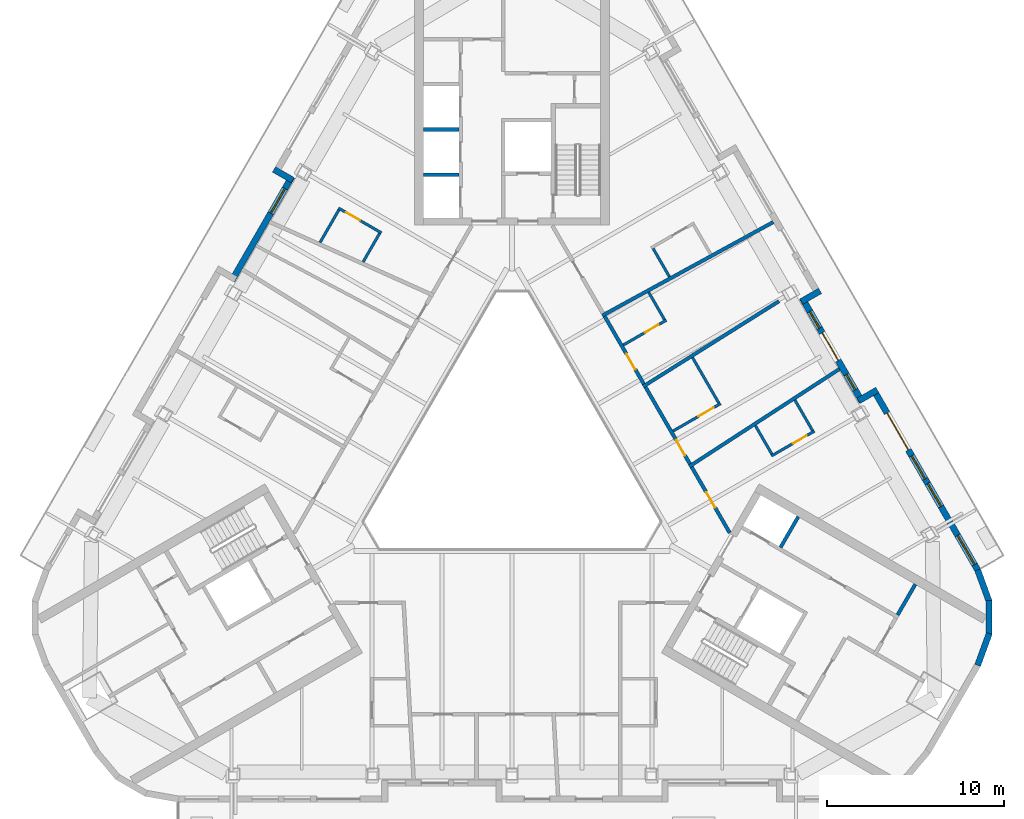
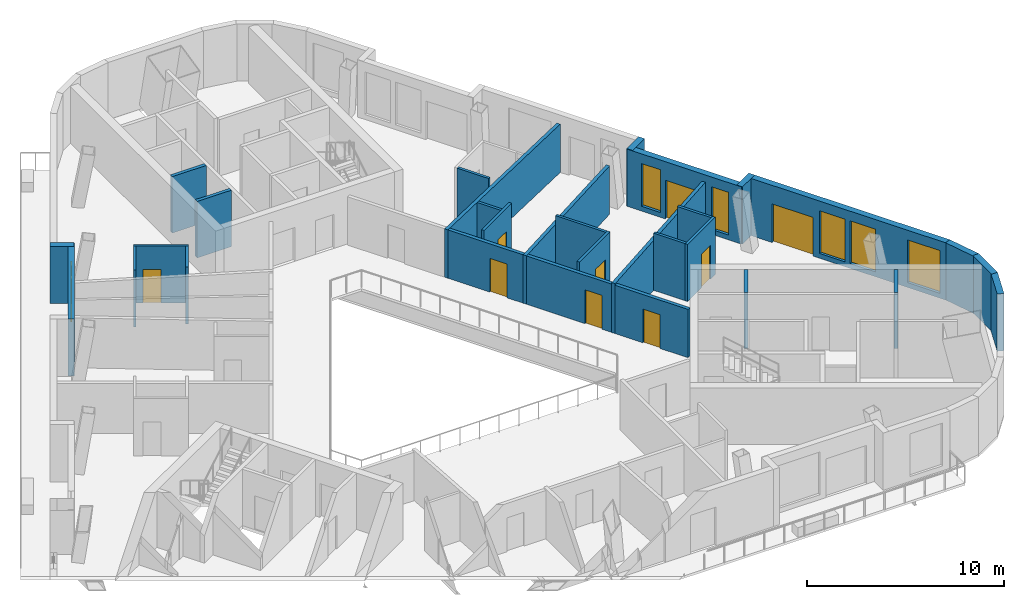
# One storey, part 6 of 14: 30 walls, 9 doors, 6 windows, 15 openings.
"""IFC4 building model written with IfcOpenShell, lengths in metres."""

from ifc_helpers import new_model, si_unit, direction, frame, frame_2d, origin, place, context, subcontext, project, spatial, rectangle, extrude, material, layer, layer_set, type_object, element, fill, save


model = new_model("IFC4")

# Units and contexts
model_context = context("Model", 3, precision=1e-05, world=origin(), true_north=direction((0.0, 1.0)))
body_context = subcontext(model_context, "Body", "Model", "MODEL_VIEW")
ifc_project = project(units=[si_unit("LENGTHUNIT", "METRE"), si_unit("AREAUNIT", "SQUARE_METRE"), si_unit("VOLUMEUNIT", "CUBIC_METRE"), si_unit("PLANEANGLEUNIT", "RADIAN"), si_unit("MASSUNIT", "GRAM", prefix="KILO")], contexts=[model_context])

# Site, building, storey
site_placement = place(None, origin())
site = spatial("IfcSite", under=ifc_project, at=site_placement, CompositionType="ELEMENT")
building_placement = place(site_placement, origin())
building = spatial("IfcBuilding", under=site, at=building_placement, Name="Apuvela Tower Hotel", CompositionType="ELEMENT")
storey_placement = place(building_placement, frame((0.0, 0.0, 254.10009765625)))
storey = spatial("IfcBuildingStorey", under=building, at=storey_placement, Name="L62", CompositionType="ELEMENT", Elevation=254.10009765625)

# Walls
ifc_material_1 = material(Name="Concrete C50/60", Category="concrete")
ifc_layer_1 = layer(ifc_material_1, 0.199951171875)
ifc_layer_set_1 = layer_set([ifc_layer_1], Name="COR-WALL-SHAFT-200")
wall_type_1 = type_object("IfcWallType", Name="COR-WALL-SHAFT-200", PredefinedType="SHEAR", material=ifc_layer_set_1)
for number, where, z_axis, x_axis, name in (
    (1, (-3.0, 15.739990234375, 0.0), (0.0, 0.0, 1.0), (-1.0, 0.0, 0.0), "Shaft wall N"),
    (2, (-3.0, 18.280029296875, 0.0), (0.0, 0.0, 1.0), (-1.0, 0.0, 0.0), "Shaft wall N"),
    (3, (15.131103515625, -5.27197265625, 0.0), (0.0, 0.0, 1.0), (0.499972520799, 0.866041268327, 0.0), "Shaft wall SE"),
    (4, (21.73046875, -9.081787109375, 0.0), (0.0, 0.0, 1.0), (0.50002537861, 0.866010750942, 0.0), "Shaft wall SE"),
):
    element("IfcWall", number, at=place(storey_placement, frame(where, z_axis=z_axis, x_axis=x_axis)), inside=storey, type_object=wall_type_1, Name=name, PredefinedType="SHEAR", context=body_context, shape_type="SweptSolid", body=[
        extrude(rectangle(XDim=2.0, YDim=0.199951171875, at=frame_2d((1.0, 0.0))), origin(), (0.0, 0.0, 1.0), 3.5),
    ])
ifc_material_2 = material(Name="Concrete C40/50, dark pigmented precast panel", Category="concrete")
ifc_layer_2 = layer(ifc_material_2, 0.35009765625)
ifc_layer_set_2 = layer_set([ifc_layer_2], Name="ENV-WALL-350")
wall_type_2 = type_object("IfcWallType", Name="ENV-WALL-350", PredefinedType="SOLIDWALL", material=ifc_layer_set_2)
wall_1_placement = place(storey_placement, frame((-13.41259765625, 16.02880859375, 0.0), z_axis=(0.0, 0.0, 1.0), x_axis=(0.866005645448, -0.500034220881, 0.0)))
element("IfcWall", 5, at=wall_1_placement, inside=storey, type_object=wall_type_2, Name="External wall L62-02", PredefinedType="SOLIDWALL", context=body_context, shape_type="SweptSolid", body=[
    extrude(rectangle(XDim=1.22021484375, YDim=0.35009765625, at=frame_2d((0.610107421875, 0.0))), origin(), (0.0, 0.0, 1.0), 3.5498046875),
])

# Wall, opening, window
wall_2_placement = place(storey_placement, frame((-12.408935546875, 15.616943359375, 0.0), z_axis=(0.0, 0.0, 1.0), x_axis=(-0.500003597184, -0.866023326939, 0.0)))
wall_2 = element("IfcWall", 6, at=wall_2_placement, inside=storey, type_object=wall_type_2, Name="External wall L62-03", PredefinedType="SOLIDWALL", context=body_context, shape_type="SweptSolid", body=[
    extrude(rectangle(XDim=6.740234375, YDim=0.35009765625, at=frame_2d((3.3701171875, 0.0))), origin(), (0.0, 0.0, 1.0), 3.5498046875),
])
opening_1_placement = place(wall_2_placement, frame((0.77001953125, 0.0, 0.300048828125)))
opening_1 = element("IfcOpeningElement", 7, at=opening_1_placement, cuts=wall_2, Name="Opening WN16", PredefinedType="OPENING", context=body_context, shape_type="SweptSolid", body=[
    extrude(rectangle(XDim=1.60009765625, YDim=2.64990234375, at=frame_2d((0.800048828125, 1.324951171875))), frame((0.0, 0.18505859375, 0.0), z_axis=(0.0, -1.0, 0.0), x_axis=(1.0, 0.0, 0.0)), (0.0, 0.0, 1.0), 0.3701171875),
])
ifc_material_3 = material(Name="Glass, dark tinted laminated insulated glazing unit", Category="glass")
window_type_1 = type_object("IfcWindowType", Name="ENV-WIN-1600x2650", PartitioningType="SINGLE_PANEL", PredefinedType="WINDOW", material=ifc_material_3)
window_1_placement = place(opening_1_placement, origin())
window_1 = element("IfcWindow", 8, at=window_1_placement, inside=storey, type_object=window_type_1, Name="Window WN16", OverallHeight=2.64990234375, OverallWidth=1.60009765625, PartitioningType="SINGLE_PANEL", PredefinedType="WINDOW", context=body_context, shape_type="SweptSolid", body=[
    extrude(rectangle(XDim=1.60009765625, YDim=2.64990234375, at=frame_2d((0.800048828125, 1.324951171875))), frame((0.0, 0.030029296875, 0.0), z_axis=(0.0, -1.0, 0.0), x_axis=(1.0, 0.0, 0.0)), (0.0, 0.0, 1.0), 0.06005859375),
])
fill(opening_1, window_1)

# Walls
for number, where, z_axis, x_axis, name in (
    (9, (26.24365234375, -11.920166015625, 0.0), (0.0, 0.0, 1.0), (0.342030395486, 0.939688889242, 0.0), "External wall L62-30"),
    (10, (26.88623046875, -10.18505859375, 0.0), (0.0, 0.0, 1.0), (0.0, 1.0, 0.0), "External wall L62-31"),
    (11, (26.89697265625, -8.334716796875, 0.0), (0.0, 0.0, 1.0), (-0.342030395486, 0.939688889242, 0.0), "External wall L62-32"),
):
    element("IfcWall", number, at=place(storey_placement, frame(where, z_axis=z_axis, x_axis=x_axis)), inside=storey, type_object=wall_type_2, Name=name, PredefinedType="SOLIDWALL", context=body_context, shape_type="SweptSolid", body=[
        extrude(rectangle(XDim=1.91015625, YDim=0.35009765625, at=frame_2d((0.955078125, 0.0))), origin(), (0.0, 0.0, 1.0), 3.5498046875),
    ])

# Wall, openings, door, windows
wall_3_placement = place(storey_placement, frame((26.256591796875, -6.5673828125, 0.0), z_axis=(0.0, 0.0, 1.0), x_axis=(-0.500023526245, 0.866011820475, 0.0)))
wall_3 = element("IfcWall", 12, at=wall_3_placement, inside=storey, type_object=wall_type_2, Name="External wall L62-33", PredefinedType="SOLIDWALL", context=body_context, shape_type="SweptSolid", body=[
    extrude(rectangle(XDim=11.81591796875, YDim=0.35009765625, at=frame_2d((5.907958984375, 0.0))), origin(), (0.0, 0.0, 1.0), 3.5498046875),
])
opening_2_placement = place(wall_3_placement, frame((0.380126953125, 0.0, 0.300048828125)))
opening_2 = element("IfcOpeningElement", 13, at=opening_2_placement, cuts=wall_3, Name="Opening WN19", PredefinedType="OPENING", context=body_context, shape_type="SweptSolid", body=[
    extrude(rectangle(XDim=1.89990234375, YDim=2.64990234375, at=frame_2d((0.949951171875, 1.324951171875))), frame((0.0, 0.18505859375, 0.0), z_axis=(0.0, -1.0, 0.0), x_axis=(1.0, 0.0, 0.0)), (0.0, 0.0, 1.0), 0.3701171875),
])
opening_3_placement = place(wall_3_placement, frame((7.836181640625, 0.0, 0.0)))
opening_3 = element("IfcOpeningElement", 14, at=opening_3_placement, cuts=wall_3, Name="Opening BD24", PredefinedType="OPENING", context=body_context, shape_type="SweptSolid", body=[
    extrude(rectangle(XDim=2.39990234375, YDim=2.39990234375, at=frame_2d((1.199951171875, 1.199951171875))), frame((0.0, 0.18505859375, 0.0), z_axis=(0.0, -1.0, 0.0), x_axis=(1.0, 0.0, 0.0)), (0.0, 0.0, 1.0), 0.3701171875),
])
opening_4_placement = place(wall_3_placement, frame((4.1533203125, 0.0, 0.300048828125)))
opening_4 = element("IfcOpeningElement", 15, at=opening_4_placement, cuts=wall_3, Name="Opening WN15", PredefinedType="OPENING", context=body_context, shape_type="SweptSolid", body=[
    extrude(rectangle(XDim=1.5, YDim=2.64990234375, at=frame_2d((0.75, 1.324951171875))), frame((0.0, 0.18505859375, 0.0), z_axis=(0.0, -1.0, 0.0), x_axis=(1.0, 0.0, 0.0)), (0.0, 0.0, 1.0), 0.3701171875),
])
opening_5_placement = place(wall_3_placement, frame((5.953125, 0.0, 0.300048828125)))
opening_5 = element("IfcOpeningElement", 16, at=opening_5_placement, cuts=wall_3, Name="Opening WN15", PredefinedType="OPENING", context=body_context, shape_type="SweptSolid", body=[
    extrude(rectangle(XDim=1.5, YDim=2.64990234375, at=frame_2d((0.75, 1.324951171875))), frame((0.0, 0.18505859375, 0.0), z_axis=(0.0, -1.0, 0.0), x_axis=(1.0, 0.0, 0.0)), (0.0, 0.0, 1.0), 0.3701171875),
])
ifc_material_4 = material(Name="Aluminium 6063-T6, dark bronze anodised frame with dark tinted laminated glass", Category="aluminium")
door_type_1 = type_object("IfcDoorType", Name="ENV-DOOR-BALCONY-2400x2400", OperationType="SLIDING_TO_LEFT", PredefinedType="DOOR", material=ifc_material_4)
door_1_placement = place(opening_3_placement, frame((2.39990234375, 0.0, 0.0), z_axis=(0.0, 0.0, 1.0), x_axis=(-1.0, 0.0, 0.0)))
door_1 = element("IfcDoor", 17, at=door_1_placement, inside=storey, type_object=door_type_1, Name="Balcony door BD24", OperationType="SLIDING_TO_LEFT", OverallHeight=2.39990234375, OverallWidth=2.39990234375, PredefinedType="DOOR", context=body_context, shape_type="SweptSolid", body=[
    extrude(rectangle(XDim=2.39990234375, YDim=2.39990234375, at=frame_2d((1.199951171875, 1.199951171875))), frame((0.0, 0.02490234375, 0.0), z_axis=(0.0, -1.0, 0.0), x_axis=(1.0, 0.0, 0.0)), (0.0, 0.0, 1.0), 0.050048828125),
])
fill(opening_3, door_1)
window_type_2 = type_object("IfcWindowType", Name="ENV-WIN-1500x2650", PartitioningType="SINGLE_PANEL", PredefinedType="WINDOW", material=ifc_material_3)
window_2_placement = place(opening_4_placement, origin())
window_2 = element("IfcWindow", 18, at=window_2_placement, inside=storey, type_object=window_type_2, Name="Window WN15", OverallHeight=2.64990234375, OverallWidth=1.5, PartitioningType="SINGLE_PANEL", PredefinedType="WINDOW", context=body_context, shape_type="SweptSolid", body=[
    extrude(rectangle(XDim=1.5, YDim=2.64990234375, at=frame_2d((0.75, 1.324951171875))), frame((0.0, 0.030029296875, 0.0), z_axis=(0.0, -1.0, 0.0), x_axis=(1.0, 0.0, 0.0)), (0.0, 0.0, 1.0), 0.06005859375),
])
fill(opening_4, window_2)
window_3_placement = place(opening_5_placement, origin())
window_3 = element("IfcWindow", 19, at=window_3_placement, inside=storey, type_object=window_type_2, Name="Window WN15", OverallHeight=2.64990234375, OverallWidth=1.5, PartitioningType="SINGLE_PANEL", PredefinedType="WINDOW", context=body_context, shape_type="SweptSolid", body=[
    extrude(rectangle(XDim=1.5, YDim=2.64990234375, at=frame_2d((0.75, 1.324951171875))), frame((0.0, 0.030029296875, 0.0), z_axis=(0.0, -1.0, 0.0), x_axis=(1.0, 0.0, 0.0)), (0.0, 0.0, 1.0), 0.06005859375),
])
fill(opening_5, window_3)
window_type_3 = type_object("IfcWindowType", Name="ENV-WIN-1900x2650", PartitioningType="SINGLE_PANEL", PredefinedType="WINDOW", material=ifc_material_3)
window_4_placement = place(opening_2_placement, origin())
window_4 = element("IfcWindow", 20, at=window_4_placement, inside=storey, type_object=window_type_3, Name="Window WN19", OverallHeight=2.64990234375, OverallWidth=1.89990234375, PartitioningType="SINGLE_PANEL", PredefinedType="WINDOW", context=body_context, shape_type="SweptSolid", body=[
    extrude(rectangle(XDim=1.89990234375, YDim=2.64990234375, at=frame_2d((0.949951171875, 1.324951171875))), frame((0.0, 0.030029296875, 0.0), z_axis=(0.0, -1.0, 0.0), x_axis=(1.0, 0.0, 0.0)), (0.0, 0.0, 1.0), 0.06005859375),
])
fill(opening_2, window_4)

# Wall
wall_4_placement = place(storey_placement, frame((20.587646484375, 3.601318359375, 0.0), z_axis=(0.0, 0.0, 1.0), x_axis=(-0.866005645448, -0.500034220881, 0.0)))
element("IfcWall", 21, at=wall_4_placement, inside=storey, type_object=wall_type_2, Name="External wall L62-34", PredefinedType="SOLIDWALL", context=body_context, shape_type="SweptSolid", body=[
    extrude(rectangle(XDim=1.22021484375, YDim=0.35009765625, at=frame_2d((0.610107421875, 0.0))), origin(), (0.0, 0.0, 1.0), 3.5498046875),
])

# Wall, openings, door, windows
wall_5_placement = place(storey_placement, frame((19.72900390625, 2.93798828125, 0.0), z_axis=(0.0, 0.0, 1.0), x_axis=(-0.499976430342, 0.866039011305, 0.0)))
wall_5 = element("IfcWall", 22, at=wall_5_placement, inside=storey, type_object=wall_type_2, Name="External wall L62-35", PredefinedType="SOLIDWALL", context=body_context, shape_type="SweptSolid", body=[
    extrude(rectangle(XDim=6.739990234375, YDim=0.35009765625, at=frame_2d((3.3701171875, 0.0))), origin(), (0.0, 0.0, 1.0), 3.5498046875),
])
opening_6_placement = place(wall_5_placement, frame((0.77001953125, 0.0, 0.300048828125)))
opening_6 = element("IfcOpeningElement", 23, at=opening_6_placement, cuts=wall_5, Name="Opening WN10", PredefinedType="OPENING", context=body_context, shape_type="SweptSolid", body=[
    extrude(rectangle(XDim=1.0, YDim=2.64990234375, at=frame_2d((0.5, 1.324951171875))), frame((0.0, 0.18505859375, 0.0), z_axis=(0.0, -1.0, 0.0), x_axis=(1.0, 0.0, 0.0)), (0.0, 0.0, 1.0), 0.3701171875),
])
opening_7_placement = place(wall_5_placement, frame((2.682861328125, 0.0, 0.0)))
opening_7 = element("IfcOpeningElement", 24, at=opening_7_placement, cuts=wall_5, Name="Opening BD18", PredefinedType="OPENING", context=body_context, shape_type="SweptSolid", body=[
    extrude(rectangle(XDim=1.800048828125, YDim=2.39990234375, at=frame_2d((0.89990234375, 1.199951171875))), frame((0.0, 0.18505859375, 0.0), z_axis=(0.0, -1.0, 0.0), x_axis=(1.0, 0.0, 0.0)), (0.0, 0.0, 1.0), 0.3701171875),
])
opening_8_placement = place(wall_5_placement, frame((4.782958984375, 0.0, 0.300048828125)))
opening_8 = element("IfcOpeningElement", 25, at=opening_8_placement, cuts=wall_5, Name="Opening WN11", PredefinedType="OPENING", context=body_context, shape_type="SweptSolid", body=[
    extrude(rectangle(XDim=1.10009765625, YDim=2.64990234375, at=frame_2d((0.550048828125, 1.324951171875))), frame((0.0, 0.18505859375, 0.0), z_axis=(0.0, -1.0, 0.0), x_axis=(1.0, 0.0, 0.0)), (0.0, 0.0, 1.0), 0.3701171875),
])
door_type_2 = type_object("IfcDoorType", Name="ENV-DOOR-BALCONY-1800x2400", OperationType="SLIDING_TO_LEFT", PredefinedType="DOOR", material=ifc_material_4)
door_2_placement = place(opening_7_placement, frame((1.800048828125, 0.0, 0.0), z_axis=(0.0, 0.0, 1.0), x_axis=(-1.0, 0.0, 0.0)))
door_2 = element("IfcDoor", 26, at=door_2_placement, inside=storey, type_object=door_type_2, Name="Balcony door BD18", OperationType="SLIDING_TO_LEFT", OverallHeight=2.39990234375, OverallWidth=1.800048828125, PredefinedType="DOOR", context=body_context, shape_type="SweptSolid", body=[
    extrude(rectangle(XDim=1.800048828125, YDim=2.39990234375, at=frame_2d((0.89990234375, 1.199951171875))), frame((0.0, 0.02490234375, 0.0), z_axis=(0.0, -1.0, 0.0), x_axis=(1.0, 0.0, 0.0)), (0.0, 0.0, 1.0), 0.050048828125),
])
fill(opening_7, door_2)
window_type_4 = type_object("IfcWindowType", Name="ENV-WIN-1000x2650", PartitioningType="SINGLE_PANEL", PredefinedType="WINDOW", material=ifc_material_3)
window_5_placement = place(opening_6_placement, origin())
window_5 = element("IfcWindow", 27, at=window_5_placement, inside=storey, type_object=window_type_4, Name="Window WN10", OverallHeight=2.64990234375, OverallWidth=1.0, PartitioningType="SINGLE_PANEL", PredefinedType="WINDOW", context=body_context, shape_type="SweptSolid", body=[
    extrude(rectangle(XDim=1.0, YDim=2.64990234375, at=frame_2d((0.5, 1.324951171875))), frame((0.0, 0.030029296875, 0.0), z_axis=(0.0, -1.0, 0.0), x_axis=(1.0, 0.0, 0.0)), (0.0, 0.0, 1.0), 0.06005859375),
])
fill(opening_6, window_5)
window_type_5 = type_object("IfcWindowType", Name="ENV-WIN-1100x2650", PartitioningType="SINGLE_PANEL", PredefinedType="WINDOW", material=ifc_material_3)
window_6_placement = place(opening_8_placement, origin())
window_6 = element("IfcWindow", 28, at=window_6_placement, inside=storey, type_object=window_type_5, Name="Window WN11", OverallHeight=2.64990234375, OverallWidth=1.10009765625, PartitioningType="SINGLE_PANEL", PredefinedType="WINDOW", context=body_context, shape_type="SweptSolid", body=[
    extrude(rectangle(XDim=1.10009765625, YDim=2.64990234375, at=frame_2d((0.550048828125, 1.324951171875))), frame((0.0, 0.030029296875, 0.0), z_axis=(0.0, -1.0, 0.0), x_axis=(1.0, 0.0, 0.0)), (0.0, 0.0, 1.0), 0.06005859375),
])
fill(opening_8, window_6)

# Walls
wall_6_placement = place(storey_placement, frame((16.305908203125, 8.5771484375, 0.0), z_axis=(0.0, 0.0, 1.0), x_axis=(0.866092288191, 0.499884134912, 0.0)))
element("IfcWall", 29, at=wall_6_placement, inside=storey, type_object=wall_type_2, Name="External wall L62-36", PredefinedType="SOLIDWALL", context=body_context, shape_type="SweptSolid", body=[
    extrude(rectangle(XDim=1.219970703125, YDim=0.35009765625, at=frame_2d((0.60986328125, 0.0))), origin(), (0.0, 0.0, 1.0), 3.5498046875),
])
ifc_material_5 = material(Name="Gypsum board partition on twin steel stud", Category="steel")
ifc_layer_3 = layer(ifc_material_5, 0.199951171875)
ifc_layer_set_3 = layer_set([ifc_layer_3], Name="GST-PW1")
wall_type_3 = type_object("IfcWallType", Name="GST-PW1", PredefinedType="PARTITIONING", material=ifc_layer_set_3)
wall_7_placement = place(storey_placement, frame((18.4609375, 4.784912109375, 0.0), z_axis=(0.0, 0.0, 1.0), x_axis=(-0.838914127868, -0.544263801905, 0.0)))
element("IfcWall", 30, at=wall_7_placement, inside=storey, type_object=wall_type_3, Name="L62 partition 05", PredefinedType="PARTITIONING", context=body_context, shape_type="SweptSolid", body=[
    extrude(rectangle(XDim=10.09375, YDim=0.199951171875, at=frame_2d((5.046875, 0.0))), origin(), (0.0, 0.0, 1.0), 3.099853515625),
])
wall_8_placement = place(storey_placement, frame((15.0478515625, 8.6044921875, 0.0), z_axis=(0.0, 0.0, 1.0), x_axis=(-0.846891968691, -0.531764979448, 0.0)))
element("IfcWall", 31, at=wall_8_placement, inside=storey, type_object=wall_type_3, Name="L62 partition 06", PredefinedType="PARTITIONING", context=body_context, shape_type="SweptSolid", body=[
    extrude(rectangle(XDim=9.04052734375, YDim=0.199951171875, at=frame_2d((4.520263671875, 0.0))), origin(), (0.0, 0.0, 1.0), 3.0),
])
wall_9_placement = place(storey_placement, frame((14.721923828125, 13.060791015625, 0.0), z_axis=(0.0, 0.0, 1.0), x_axis=(-0.87738195935, -0.479792556641, 0.0)))
element("IfcWall", 32, at=wall_9_placement, inside=storey, type_object=wall_type_3, Name="L62 partition 07", PredefinedType="PARTITIONING", context=body_context, shape_type="SweptSolid", body=[
    extrude(rectangle(XDim=10.98291015625, YDim=0.199951171875, at=frame_2d((5.491455078125, 0.0))), origin(), (0.0, 0.0, 1.0), 3.0),
])

# Wall, opening, door
ifc_material_6 = material(Name="Gypsum board corridor wall on twin steel stud, acoustic", Category="steel")
ifc_layer_4 = layer(ifc_material_6, 0.199951171875)
ifc_layer_set_4 = layer_set([ifc_layer_4], Name="GST-PW2")
wall_type_4 = type_object("IfcWallType", Name="GST-PW2", PredefinedType="PARTITIONING", material=ifc_layer_set_4)
wall_10_placement = place(storey_placement, frame((10.127197265625, -0.740966796875, 0.0), z_axis=(0.0, 0.0, 1.0), x_axis=(0.500038251005, -0.86600331843, 0.0)))
wall_10 = element("IfcWall", 33, at=wall_10_placement, inside=storey, type_object=wall_type_4, Name="L62 partition 22", PredefinedType="PARTITIONING", context=body_context, shape_type="SweptSolid", body=[
    extrude(rectangle(XDim=4.282958984375, YDim=0.199951171875, at=frame_2d((2.1416015625, 0.0))), origin(), (0.0, 0.0, 1.0), 3.0),
])
opening_9_placement = place(wall_10_placement, frame((1.641357421875, 0.0, 0.0)))
opening_9 = element("IfcOpeningElement", 34, at=opening_9_placement, cuts=wall_10, Name="Opening GD24-09", PredefinedType="OPENING", context=body_context, shape_type="SweptSolid", body=[
    extrude(rectangle(XDim=1.0, YDim=2.10009765625, at=frame_2d((0.5, 1.050048828125))), frame((0.0, 0.10986328125, 0.0), z_axis=(0.0, -1.0, 0.0), x_axis=(1.0, 0.0, 0.0)), (0.0, 0.0, 1.0), 0.219970703125),
])
ifc_material_7 = material(Name="Timber door leaf in steel frame", Category="steel")
door_type_3 = type_object("IfcDoorType", Name="GST-D1", OperationType="NOTDEFINED", PredefinedType="DOOR", material=ifc_material_7)
door_3_placement = place(opening_9_placement, origin())
door_3 = element("IfcDoor", 35, at=door_3_placement, inside=storey, type_object=door_type_3, Name="Door L62-09", OperationType="SINGLE_SWING_LEFT", OverallHeight=2.10009765625, OverallWidth=1.0, PredefinedType="DOOR", context=body_context, shape_type="SweptSolid", body=[
    extrude(rectangle(XDim=1.0, YDim=2.10009765625, at=frame_2d((0.5, 1.050048828125))), frame((0.0, 0.02490234375, 0.0), z_axis=(0.0, -1.0, 0.0), x_axis=(1.0, 0.0, 0.0)), (0.0, 0.0, 1.0), 0.050048828125),
])
fill(opening_9, door_3)

wall_11_placement = place(storey_placement, frame((7.526611328125, 3.763671875, 0.0), z_axis=(0.0, 0.0, 1.0), x_axis=(0.499992905202, -0.866029499929, 0.0)))
wall_11 = element("IfcWall", 36, at=wall_11_placement, inside=storey, type_object=wall_type_4, Name="L62 partition 26", PredefinedType="PARTITIONING", context=body_context, shape_type="SweptSolid", body=[
    extrude(rectangle(XDim=5.0009765625, YDim=0.199951171875, at=frame_2d((2.50048828125, 0.0))), origin(), (0.0, 0.0, 1.0), 3.0),
])
opening_10_placement = place(wall_11_placement, frame((3.4462890625, 0.0, 0.0)))
opening_10 = element("IfcOpeningElement", 37, at=opening_10_placement, cuts=wall_11, Name="Opening GD24-11", PredefinedType="OPENING", context=body_context, shape_type="SweptSolid", body=[
    extrude(rectangle(XDim=1.0, YDim=2.10009765625, at=frame_2d((0.5, 1.050048828125))), frame((0.0, 0.10986328125, 0.0), z_axis=(0.0, -1.0, 0.0), x_axis=(1.0, 0.0, 0.0)), (0.0, 0.0, 1.0), 0.219970703125),
])
door_4_placement = place(opening_10_placement, origin())
door_4 = element("IfcDoor", 38, at=door_4_placement, inside=storey, type_object=door_type_3, Name="Door L62-11", OperationType="SINGLE_SWING_RIGHT", OverallHeight=2.10009765625, OverallWidth=1.0, PredefinedType="DOOR", context=body_context, shape_type="SweptSolid", body=[
    extrude(rectangle(XDim=1.0, YDim=2.10009765625, at=frame_2d((0.5, 1.050048828125))), frame((0.0, 0.02490234375, 0.0), z_axis=(0.0, -1.0, 0.0), x_axis=(1.0, 0.0, 0.0)), (0.0, 0.0, 1.0), 0.050048828125),
])
fill(opening_10, door_4)

wall_12_placement = place(storey_placement, frame((5.223388671875, 7.752685546875, 0.0), z_axis=(0.0, 0.0, 1.0), x_axis=(0.500024628788, -0.86601118388, 0.0)))
wall_12 = element("IfcWall", 39, at=wall_12_placement, inside=storey, type_object=wall_type_4, Name="L62 partition 29", PredefinedType="PARTITIONING", context=body_context, shape_type="SweptSolid", body=[
    extrude(rectangle(XDim=4.406005859375, YDim=0.199951171875, at=frame_2d((2.203125, 0.0))), origin(), (0.0, 0.0, 1.0), 3.0),
])
opening_11_placement = place(wall_12_placement, frame((2.452392578125, 0.0, 0.0)))
opening_11 = element("IfcOpeningElement", 40, at=opening_11_placement, cuts=wall_12, Name="Opening GD24-13", PredefinedType="OPENING", context=body_context, shape_type="SweptSolid", body=[
    extrude(rectangle(XDim=1.0, YDim=2.10009765625, at=frame_2d((0.5, 1.050048828125))), frame((0.0, 0.10986328125, 0.0), z_axis=(0.0, -1.0, 0.0), x_axis=(1.0, 0.0, 0.0)), (0.0, 0.0, 1.0), 0.219970703125),
])
door_5_placement = place(opening_11_placement, origin())
door_5 = element("IfcDoor", 41, at=door_5_placement, inside=storey, type_object=door_type_3, Name="Door L62-13", OperationType="SINGLE_SWING_RIGHT", OverallHeight=2.10009765625, OverallWidth=1.0, PredefinedType="DOOR", context=body_context, shape_type="SweptSolid", body=[
    extrude(rectangle(XDim=1.0, YDim=2.10009765625, at=frame_2d((0.5, 1.050048828125))), frame((0.0, 0.02490234375, 0.0), z_axis=(0.0, -1.0, 0.0), x_axis=(1.0, 0.0, 0.0)), (0.0, 0.0, 1.0), 0.050048828125),
])
fill(opening_11, door_5)

ifc_material_8 = material(Name="Moisture-resistant gypsum board wet wall on steel stud", Category="steel")
ifc_layer_5 = layer(ifc_material_8, 0.14990234375)
ifc_layer_set_5 = layer_set([ifc_layer_5], Name="GST-PW3")
wall_type_5 = type_object("IfcWallType", Name="GST-PW3", PredefinedType="PARTITIONING", material=ifc_layer_set_5)
wall_13_placement = place(storey_placement, frame((14.617919921875, -0.119140625, 0.0), z_axis=(0.0, 0.0, 1.0), x_axis=(0.866018616679, 0.500011755427, 0.0)))
wall_13 = element("IfcWall", 42, at=wall_13_placement, inside=storey, type_object=wall_type_5, Name="L62 partition 23", PredefinedType="PARTITIONING", context=body_context, shape_type="SweptSolid", body=[
    extrude(rectangle(XDim=2.80029296875, YDim=0.14990234375, at=frame_2d((1.400146484375, 0.0))), origin(), (0.0, 0.0, 1.0), 3.5498046875),
])
opening_12_placement = place(wall_13_placement, frame((1.39990234375, 0.0, 0.0)))
opening_12 = element("IfcOpeningElement", 43, at=opening_12_placement, cuts=wall_13, Name="Opening GD24-08", PredefinedType="OPENING", context=body_context, shape_type="SweptSolid", body=[
    extrude(rectangle(XDim=0.89990234375, YDim=2.10009765625, at=frame_2d((0.449951171875, 1.050048828125))), frame((0.0, 0.0849609375, 0.0), z_axis=(0.0, -1.0, 0.0), x_axis=(1.0, 0.0, 0.0)), (0.0, 0.0, 1.0), 0.169921875),
])
door_type_4 = type_object("IfcDoorType", Name="GST-D2", OperationType="NOTDEFINED", PredefinedType="DOOR", material=ifc_material_7)
door_6_placement = place(opening_12_placement, origin())
door_6 = element("IfcDoor", 44, at=door_6_placement, inside=storey, type_object=door_type_4, Name="Door L62-08", OperationType="SINGLE_SWING_RIGHT", OverallHeight=2.10009765625, OverallWidth=0.89990234375, PredefinedType="DOOR", context=body_context, shape_type="SweptSolid", body=[
    extrude(rectangle(XDim=0.89990234375, YDim=2.10009765625, at=frame_2d((0.449951171875, 1.050048828125))), frame((0.0, 0.02490234375, 0.0), z_axis=(0.0, -1.0, 0.0), x_axis=(1.0, 0.0, 0.0)), (0.0, 0.0, 1.0), 0.050048828125),
])
fill(opening_12, door_6)

# Walls
wall_14_placement = place(storey_placement, frame((16.9404296875, 1.308349609375, 0.0), z_axis=(0.0, 0.0, 1.0), x_axis=(-0.500001870701, 0.866024323732, 0.0)))
element("IfcWall", 45, at=wall_14_placement, inside=storey, type_object=wall_type_5, Name="L62 partition 24", PredefinedType="PARTITIONING", context=body_context, shape_type="SweptSolid", body=[
    extrude(rectangle(XDim=1.99169921875, YDim=0.14990234375, at=frame_2d((0.995849609375, 0.0))), origin(), (0.0, 0.0, 1.0), 3.5498046875),
])
wall_15_placement = place(storey_placement, frame((14.6455078125, -0.0166015625, 0.0), z_axis=(0.0, 0.0, 1.0), x_axis=(-0.500034038322, 0.866005750858, 0.0)))
element("IfcWall", 46, at=wall_15_placement, inside=storey, type_object=wall_type_5, Name="L62 partition 25", PredefinedType="PARTITIONING", context=body_context, shape_type="SweptSolid", body=[
    extrude(rectangle(XDim=1.853759765625, YDim=0.14990234375, at=frame_2d((0.9267578125, 0.0))), origin(), (0.0, 0.0, 1.0), 3.5498046875),
])

# Wall, opening, door
wall_16_placement = place(storey_placement, frame((9.07373046875, 1.28369140625, 0.0), z_axis=(0.0, 0.0, 1.0), x_axis=(0.86600983753, 0.500026960575, 0.0)))
wall_16 = element("IfcWall", 47, at=wall_16_placement, inside=storey, type_object=wall_type_5, Name="L62 partition 27", PredefinedType="PARTITIONING", context=body_context, shape_type="SweptSolid", body=[
    extrude(rectangle(XDim=3.099853515625, YDim=0.14990234375, at=frame_2d((1.5498046875, 0.0))), origin(), (0.0, 0.0, 1.0), 3.5498046875),
])
opening_13_placement = place(wall_16_placement, frame((1.64990234375, 0.0, 0.0)))
opening_13 = element("IfcOpeningElement", 48, at=opening_13_placement, cuts=wall_16, Name="Opening GD24-10", PredefinedType="OPENING", context=body_context, shape_type="SweptSolid", body=[
    extrude(rectangle(XDim=1.0, YDim=2.10009765625, at=frame_2d((0.5, 1.050048828125))), frame((0.0, 0.0849609375, 0.0), z_axis=(0.0, -1.0, 0.0), x_axis=(1.0, 0.0, 0.0)), (0.0, 0.0, 1.0), 0.169921875),
])
door_7_placement = place(opening_13_placement, origin())
door_7 = element("IfcDoor", 49, at=door_7_placement, inside=storey, type_object=door_type_3, Name="Door L62-10", OperationType="SINGLE_SWING_RIGHT", OverallHeight=2.10009765625, OverallWidth=1.0, PredefinedType="DOOR", context=body_context, shape_type="SweptSolid", body=[
    extrude(rectangle(XDim=1.0, YDim=2.10009765625, at=frame_2d((0.5, 1.050048828125))), frame((0.0, 0.02490234375, 0.0), z_axis=(0.0, -1.0, 0.0), x_axis=(1.0, 0.0, 0.0)), (0.0, 0.0, 1.0), 0.050048828125),
])
fill(opening_13, door_7)

# Wall
wall_17_placement = place(storey_placement, frame((11.656005859375, 2.861328125, 0.0), z_axis=(0.0, 0.0, 1.0), x_axis=(-0.500048260122, 0.865997538997, 0.0)))
element("IfcWall", 50, at=wall_17_placement, inside=storey, type_object=wall_type_5, Name="L62 partition 28", PredefinedType="PARTITIONING", context=body_context, shape_type="SweptSolid", body=[
    extrude(rectangle(XDim=2.962158203125, YDim=0.14990234375, at=frame_2d((1.48095703125, 0.0))), origin(), (0.0, 0.0, 1.0), 3.5498046875),
])

# Wall, opening, door
wall_18_placement = place(storey_placement, frame((6.273681640625, 6.133544921875, 0.0), z_axis=(0.0, 0.0, 1.0), x_axis=(0.865996816683, 0.500049511043, 0.0)))
wall_18 = element("IfcWall", 51, at=wall_18_placement, inside=storey, type_object=wall_type_5, Name="L62 partition 30", PredefinedType="PARTITIONING", context=body_context, shape_type="SweptSolid", body=[
    extrude(rectangle(XDim=2.800048828125, YDim=0.14990234375, at=frame_2d((1.39990234375, 0.0))), origin(), (0.0, 0.0, 1.0), 3.5498046875),
])
opening_14_placement = place(wall_18_placement, frame((1.39990234375, 0.0, 0.0)))
opening_14 = element("IfcOpeningElement", 52, at=opening_14_placement, cuts=wall_18, Name="Opening GD24-12", PredefinedType="OPENING", context=body_context, shape_type="SweptSolid", body=[
    extrude(rectangle(XDim=0.89990234375, YDim=2.10009765625, at=frame_2d((0.449951171875, 1.050048828125))), frame((0.0, 0.0849609375, 0.0), z_axis=(0.0, -1.0, 0.0), x_axis=(1.0, 0.0, 0.0)), (0.0, 0.0, 1.0), 0.169921875),
])
door_8_placement = place(opening_14_placement, origin())
door_8 = element("IfcDoor", 53, at=door_8_placement, inside=storey, type_object=door_type_4, Name="Door L62-12", OperationType="SINGLE_SWING_RIGHT", OverallHeight=2.10009765625, OverallWidth=0.89990234375, PredefinedType="DOOR", context=body_context, shape_type="SweptSolid", body=[
    extrude(rectangle(XDim=0.89990234375, YDim=2.10009765625, at=frame_2d((0.449951171875, 1.050048828125))), frame((0.0, 0.02490234375, 0.0), z_axis=(0.0, -1.0, 0.0), x_axis=(1.0, 0.0, 0.0)), (0.0, 0.0, 1.0), 0.050048828125),
])
fill(opening_14, door_8)

# Walls
wall_19_placement = place(storey_placement, frame((8.59619140625, 7.56103515625, 0.0), z_axis=(0.0, 0.0, 1.0), x_axis=(-0.500077263419, 0.865980791133, 0.0)))
element("IfcWall", 54, at=wall_19_placement, inside=storey, type_object=wall_type_5, Name="L62 partition 31", PredefinedType="PARTITIONING", context=body_context, shape_type="SweptSolid", body=[
    extrude(rectangle(XDim=1.786865234375, YDim=0.14990234375, at=frame_2d((0.8935546875, 0.0))), origin(), (0.0, 0.0, 1.0), 3.0),
])
wall_20_placement = place(storey_placement, frame((8.875244140625, 9.9775390625, 0.0), z_axis=(0.0, 0.0, 1.0), x_axis=(-0.499939294285, 0.866060449409, 0.0)))
element("IfcWall", 55, at=wall_20_placement, inside=storey, type_object=wall_type_5, Name="L62 partition 35", PredefinedType="PARTITIONING", context=body_context, shape_type="SweptSolid", body=[
    extrude(rectangle(XDim=1.851806640625, YDim=0.14990234375, at=frame_2d((0.92578125, 0.0))), origin(), (0.0, 0.0, 1.0), 3.5498046875),
])

# Wall, opening, door
wall_21_placement = place(storey_placement, frame((-7.3583984375, 12.455078125, 0.0), z_axis=(0.0, 0.0, 1.0), x_axis=(-0.866034573852, 0.49998411664, 0.0)))
wall_21 = element("IfcWall", 56, at=wall_21_placement, inside=storey, type_object=wall_type_5, Name="L62 partition 37", PredefinedType="PARTITIONING", context=body_context, shape_type="SweptSolid", body=[
    extrude(rectangle(XDim=2.7998046875, YDim=0.14990234375, at=frame_2d((1.39990234375, 0.0))), origin(), (0.0, 0.0, 1.0), 3.5498046875),
])
opening_15_placement = place(wall_21_placement, frame((1.39990234375, 0.0, 0.0)))
opening_15 = element("IfcOpeningElement", 57, at=opening_15_placement, cuts=wall_21, Name="Opening GD24-16", PredefinedType="OPENING", context=body_context, shape_type="SweptSolid", body=[
    extrude(rectangle(XDim=0.89990234375, YDim=2.10009765625, at=frame_2d((0.449951171875, 1.050048828125))), frame((0.0, 0.0849609375, 0.0), z_axis=(0.0, -1.0, 0.0), x_axis=(1.0, 0.0, 0.0)), (0.0, 0.0, 1.0), 0.169921875),
])
door_9_placement = place(opening_15_placement, origin())
door_9 = element("IfcDoor", 58, at=door_9_placement, inside=storey, type_object=door_type_4, Name="Door L62-16", OperationType="SINGLE_SWING_RIGHT", OverallHeight=2.10009765625, OverallWidth=0.89990234375, PredefinedType="DOOR", context=body_context, shape_type="SweptSolid", body=[
    extrude(rectangle(XDim=0.89990234375, YDim=2.10009765625, at=frame_2d((0.449951171875, 1.050048828125))), frame((0.0, 0.02490234375, 0.0), z_axis=(0.0, -1.0, 0.0), x_axis=(1.0, 0.0, 0.0)), (0.0, 0.0, 1.0), 0.050048828125),
])
fill(opening_15, door_9)

# Walls
wall_22_placement = place(storey_placement, frame((-9.755859375, 13.75244140625, 0.0), z_axis=(0.0, 0.0, 1.0), x_axis=(-0.50001378257, -0.866017446268, 0.0)))
element("IfcWall", 59, at=wall_22_placement, inside=storey, type_object=wall_type_5, Name="L62 partition 38", PredefinedType="PARTITIONING", context=body_context, shape_type="SweptSolid", body=[
    extrude(rectangle(XDim=2.1279296875, YDim=0.14990234375, at=frame_2d((1.06396484375, 0.0))), origin(), (0.0, 0.0, 1.0), 3.5498046875),
])
wall_23_placement = place(storey_placement, frame((-7.460693359375, 12.427490234375, 0.0), z_axis=(0.0, 0.0, 1.0), x_axis=(-0.500025795397, -0.866010510293, 0.0)))
element("IfcWall", 60, at=wall_23_placement, inside=storey, type_object=wall_type_5, Name="L62 partition 39", PredefinedType="PARTITIONING", context=body_context, shape_type="SweptSolid", body=[
    extrude(rectangle(XDim=1.85791015625, YDim=0.14990234375, at=frame_2d((0.928955078125, 0.0))), origin(), (0.0, 0.0, 1.0), 3.5498046875),
])

save(model, "model.ifc")
